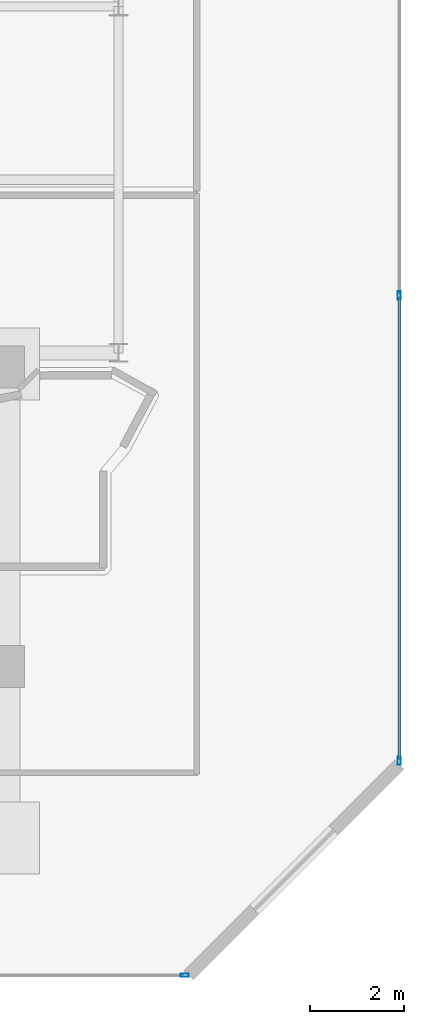
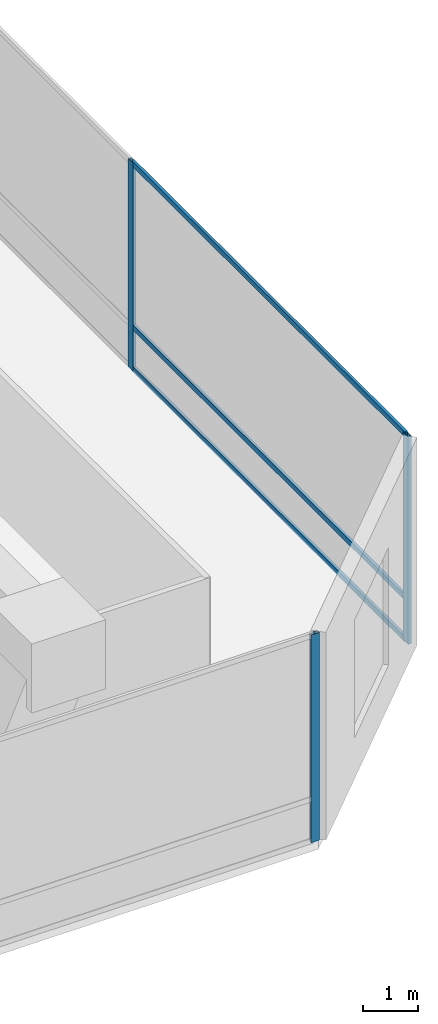
# One storey, part 26 of 45: 6 members, 2 elements without a shape of their own.
"""IFC4 building model written with IfcOpenShell, lengths in metres."""

from ifc_helpers import new_model, si_unit, direction, frame, origin, origin_2d, place, context, subcontext, project, spatial, hollow_rectangle, extrude, material, layer, layer_set, material_profile, profile_set, type_object, element, aggregate, save


model = new_model("IFC4")

# Units and contexts
model_context = context("Model", 3, precision=1e-05, world=origin(), true_north=direction((0.0, 1.0)))
body_context = subcontext(model_context, "Body", "Model", "MODEL_VIEW")
ifc_project = project(units=[si_unit("LENGTHUNIT", "METRE"), si_unit("AREAUNIT", "SQUARE_METRE"), si_unit("VOLUMEUNIT", "CUBIC_METRE"), si_unit("PLANEANGLEUNIT", "RADIAN"), si_unit("MASSUNIT", "GRAM", prefix="KILO")], contexts=[model_context])

# Site, building, storey
site_placement = place(None, origin())
site = spatial("IfcSite", under=ifc_project, at=site_placement, CompositionType="ELEMENT")
building_placement = place(site_placement, origin())
building = spatial("IfcBuilding", under=site, at=building_placement, Name="Qianvela Tower", CompositionType="ELEMENT")
storey_placement = place(building_placement, frame((0.0, 0.0, 11.0)))
storey = spatial("IfcBuildingStorey", under=building, at=storey_placement, Name="L02", CompositionType="ELEMENT", Elevation=11.0)

# Curtain wall, member
ifc_material_1 = material(Name="Anodised Architectural Aluminium and Low-E Glass", Category="aluminium")
ifc_layer = layer(ifc_material_1, 0.179931640625)
ifc_layer_set = layer_set([ifc_layer], Name="Anodised Architectural Aluminium and Low-E Glass")
curtain_wall_type = type_object("IfcCurtainWallType", Name="CW-COMMONS", PredefinedType="USERDEFINED", material=ifc_layer_set)
curtain_wall_1_placement = place(storey_placement, origin())
curtain_wall_1 = element("IfcCurtainWall", 1, at=curtain_wall_1_placement, inside=storey, type_object=curtain_wall_type, Name="L02 CW-COMMONS Curtain Wall 01", ObjectType="CURTAIN_WALL_SYSTEM", PredefinedType="USERDEFINED")
ifc_material_2 = material(Name="Anodised Architectural Aluminium 6063-T6", Category="aluminium")
ifc_material_profile_1 = material_profile(ifc_material_2, hollow_rectangle(XDim=0.070068359375, YDim=0.179931640625, WallThickness=0.0048828125, at=origin_2d()), Name="ALU-MULL-70x180")
ifc_profile_set_1 = profile_set([ifc_material_profile_1], Name="Anodised Architectural Aluminium 6063-T6")
member_type_1 = type_object("IfcMemberType", Name="CW-COMMONS-MULL", PredefinedType="MULLION", material=ifc_profile_set_1)
member_1_placement = place(storey_placement, frame((68.9150390625, 1.5, 0.0), z_axis=(0.0, 0.0, 1.0), x_axis=(0.0, 1.0, 0.0)))
member_1 = element("IfcMember", 2, at=member_1_placement, type_object=member_type_1, Name="CW-2 mullion 8", PredefinedType="MULLION", context=body_context, shape_type="SweptSolid", body=[
    extrude(hollow_rectangle(XDim=0.070068359375, YDim=0.179931640625, WallThickness=0.0048828125, at=origin_2d()), origin(), (0.0, 0.0, 1.0), 4.580078125),
])
aggregate(curtain_wall_1, [member_1])

# Curtain wall, members
curtain_wall_2_placement = place(storey_placement, origin())
curtain_wall_2 = element("IfcCurtainWall", 3, at=curtain_wall_2_placement, inside=storey, type_object=curtain_wall_type, Name="L02 CW-COMMONS Curtain Wall 03", ObjectType="CURTAIN_WALL_SYSTEM", PredefinedType="USERDEFINED")
member_2_placement = place(storey_placement, frame((73.5, 6.0849609375, 0.0), z_axis=(0.0, 0.0, 1.0), x_axis=(-1.0, 0.0, 0.0)))
member_2 = element("IfcMember", 4, at=member_2_placement, type_object=member_type_1, Name="CW-2 mullion 1", PredefinedType="MULLION", context=body_context, shape_type="SweptSolid", body=[
    extrude(hollow_rectangle(XDim=0.070068359375, YDim=0.179931640625, WallThickness=0.0048828125, at=origin_2d()), origin(), (0.0, 0.0, 1.0), 4.580078125),
])
member_3_placement = place(storey_placement, frame((73.5, 16.02490234375, 0.0), z_axis=(0.0, 0.0, 1.0), x_axis=(-1.0, 0.0, 0.0)))
member_3 = element("IfcMember", 5, at=member_3_placement, type_object=member_type_1, Name="CW-2 mullion 2", PredefinedType="MULLION", context=body_context, shape_type="SweptSolid", body=[
    extrude(hollow_rectangle(XDim=0.070068359375, YDim=0.179931640625, WallThickness=0.0048828125, at=origin_2d()), origin(), (0.0, 0.0, 1.0), 4.580078125),
])
ifc_material_3 = material(Name="Anodised Architectural Aluminium 6063-T6", Category="aluminium")
ifc_material_profile_2 = material_profile(ifc_material_3, hollow_rectangle(XDim=0.06005859375, YDim=0.114990234375, WallThickness=0.00390625, at=origin_2d()), Name="ALU-TRAN-60x115")
ifc_profile_set_2 = profile_set([ifc_material_profile_2], Name="Anodised Architectural Aluminium 6063-T6")
member_type_2 = type_object("IfcMemberType", Name="CW-COMMONS-TRAN", PredefinedType="USERDEFINED", material=ifc_profile_set_2)
member_4_placement = place(storey_placement, frame((73.5, 6.1201171875, 0.030029296875), z_axis=(0.0, 1.0, 0.0), x_axis=(-1.0, 0.0, 0.0)))
member_4 = element("IfcMember", 6, at=member_4_placement, type_object=member_type_2, Name="CW-2 transom 1.1", ObjectType="TRANSOM", PredefinedType="USERDEFINED", context=body_context, shape_type="SweptSolid", body=[
    extrude(hollow_rectangle(XDim=0.06005859375, YDim=0.114990234375, WallThickness=0.00390625, at=origin_2d()), origin(), (0.0, 0.0, 1.0), 9.869873046875),
])
member_5_placement = place(storey_placement, frame((73.5, 6.1201171875, 0.949951171875), z_axis=(0.0, 1.0, 0.0), x_axis=(-1.0, 0.0, 0.0)))
member_5 = element("IfcMember", 7, at=member_5_placement, type_object=member_type_2, Name="CW-2 transom 1.2", ObjectType="TRANSOM", PredefinedType="USERDEFINED", context=body_context, shape_type="SweptSolid", body=[
    extrude(hollow_rectangle(XDim=0.06005859375, YDim=0.114990234375, WallThickness=0.00390625, at=origin_2d()), origin(), (0.0, 0.0, 1.0), 9.869873046875),
])
member_6_placement = place(storey_placement, frame((73.5, 6.1201171875, 4.550048828125), z_axis=(0.0, 1.0, 0.0), x_axis=(-1.0, 0.0, 0.0)))
member_6 = element("IfcMember", 8, at=member_6_placement, type_object=member_type_2, Name="CW-2 transom 1.3", ObjectType="TRANSOM", PredefinedType="USERDEFINED", context=body_context, shape_type="SweptSolid", body=[
    extrude(hollow_rectangle(XDim=0.06005859375, YDim=0.114990234375, WallThickness=0.00390625, at=origin_2d()), origin(), (0.0, 0.0, 1.0), 9.869873046875),
])
aggregate(curtain_wall_2, [member_2, member_3, member_4, member_5, member_6])

save(model, "model.ifc")
